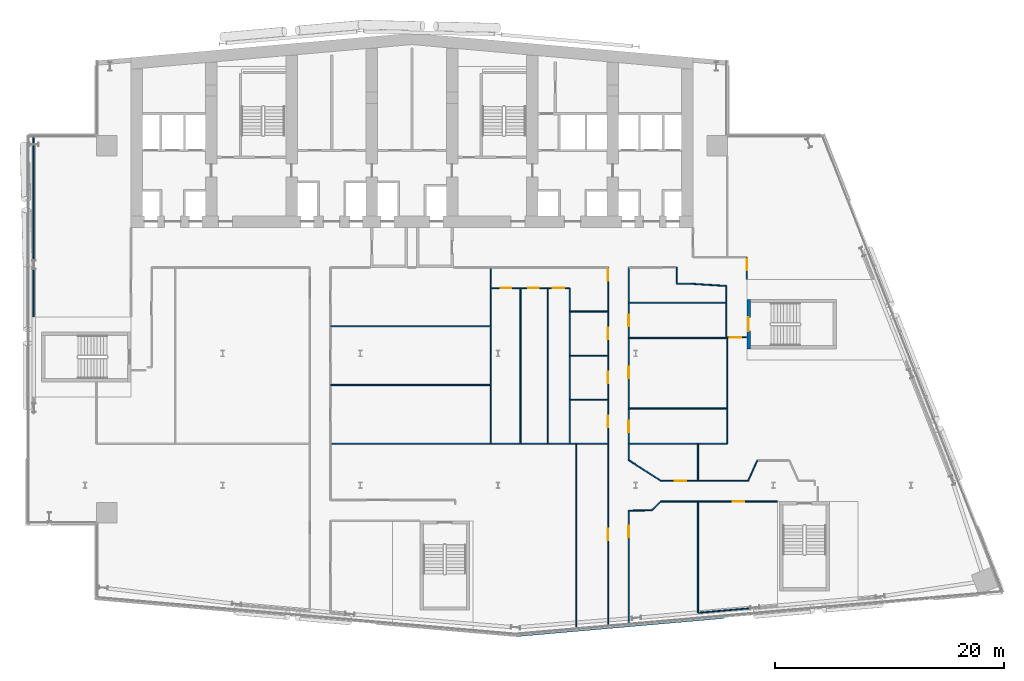
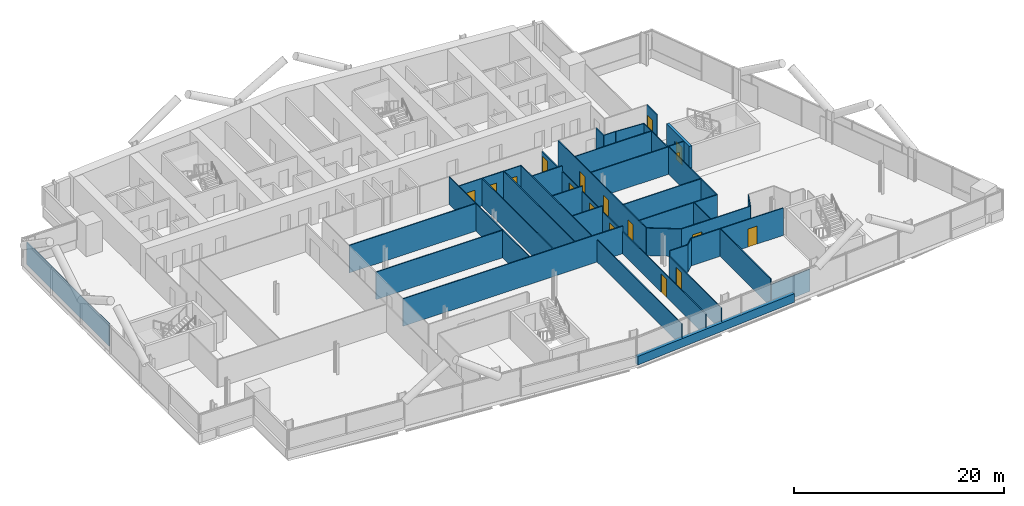
# One storey, part 15 of 26: 38 walls, 17 doors, 17 openings.
"""IFC4 building model written with IfcOpenShell, lengths in metres."""

from ifc_helpers import new_model, si_unit, direction, frame, frame_2d, origin, place, context, subcontext, project, spatial, rectangle, extrude, material, layer, layer_set, type_object, element, fill, save


model = new_model("IFC4")

# Units and contexts
model_context = context("Model", 3, precision=1e-05, world=origin(), true_north=direction((0.0, 1.0)))
body_context = subcontext(model_context, "Body", "Model", "MODEL_VIEW")
ifc_project = project(units=[si_unit("LENGTHUNIT", "METRE"), si_unit("AREAUNIT", "SQUARE_METRE"), si_unit("VOLUMEUNIT", "CUBIC_METRE"), si_unit("PLANEANGLEUNIT", "RADIAN"), si_unit("MASSUNIT", "GRAM", prefix="KILO")], contexts=[model_context])

# Site, building, storey
site_placement = place(None, origin())
site = spatial("IfcSite", under=ifc_project, at=site_placement, CompositionType="ELEMENT")
building_placement = place(site_placement, origin())
building = spatial("IfcBuilding", under=site, at=building_placement, Name="Wharfspan Tower", CompositionType="ELEMENT")
storey_placement = place(building_placement, frame((0.0, 0.0, 114.699951)))
storey = spatial("IfcBuildingStorey", under=building, at=storey_placement, Name="L26", CompositionType="ELEMENT", Elevation=114.699951)

# Walls
ifc_material_1 = material(Name="Gypsum board on steel studs", Category="steel")
ifc_layer_1 = layer(ifc_material_1, 0.100098)
ifc_layer_set_1 = layer_set([ifc_layer_1], Name="Gypsum board on steel studs")
wall_type_1 = type_object("IfcWallType", Name="Compartment wall 100 EI 60", PredefinedType="PARTITIONING", material=ifc_layer_set_1)
wall_1_placement = place(storey_placement, frame((33.399902, 15.129883, 0.0), z_axis=(0.0, 0.0, 1.0), x_axis=(1.0, 0.0, 0.0)))
element("IfcWall", 1, at=wall_1_placement, inside=storey, type_object=wall_type_1, Name="Partition L26.w017", PredefinedType="PARTITIONING", context=body_context, shape_type="SweptSolid", body=[
    extrude(rectangle(XDim=24.200195, YDim=0.100098, at=frame_2d((12.100098, 0.0))), origin(), (0.0, 0.0, 1.0), 3.199951),
])
for number, where, z_axis, x_axis, name in (
    (2, (33.399902, 20.254883, 0.0), (0.0, 0.0, 1.0), (1.0, 0.0, 0.0), "Partition L26.w018"),
    (3, (33.399902, 25.375, 0.0), (0.0, 0.0, 1.0), (1.0, 0.0, 0.0), "Partition L26.w019"),
):
    element("IfcWall", number, at=place(storey_placement, frame(where, z_axis=z_axis, x_axis=x_axis)), inside=storey, type_object=wall_type_1, Name=name, PredefinedType="PARTITIONING", context=body_context, shape_type="SweptSolid", body=[
        extrude(rectangle(XDim=13.975098, YDim=0.100098, at=frame_2d((6.987549, 0.0))), origin(), (0.0, 0.0, 1.0), 3.199951),
    ])
wall_2_placement = place(storey_placement, frame((47.375, 15.129883, 0.0), z_axis=(0.0, 0.0, 1.0), x_axis=(0.0, 1.0, 0.0)))
element("IfcWall", 4, at=wall_2_placement, inside=storey, type_object=wall_type_1, Name="Partition L26.w024", PredefinedType="PARTITIONING", context=body_context, shape_type="SweptSolid", body=[
    extrude(rectangle(XDim=15.360107, YDim=0.100098, at=frame_2d((7.680176, 0.0))), origin(), (0.0, 0.0, 1.0), 3.199951),
])
for number, where, z_axis, x_axis, name in (
    (5, (54.25, 18.975098, 0.0), (0.0, 0.0, 1.0), (1.0, 0.0, 0.0), "Partition L26.w029"),
    (6, (54.25, 22.814941, 0.0), (0.0, 0.0, 1.0), (1.0, 0.0, 0.0), "Partition L26.w030"),
    (7, (54.25, 26.659912, 0.0), (0.0, 0.0, 1.0), (1.0, 0.0, 0.0), "Partition L26.w031"),
):
    element("IfcWall", number, at=place(storey_placement, frame(where, z_axis=z_axis, x_axis=x_axis)), inside=storey, type_object=wall_type_1, Name=name, PredefinedType="PARTITIONING", context=body_context, shape_type="SweptSolid", body=[
        extrude(rectangle(XDim=3.350098, YDim=0.100098, at=frame_2d((1.675049, 0.0))), origin(), (0.0, 0.0, 1.0), 3.199951),
    ])

# Wall, openings, doors
wall_3_placement = place(storey_placement, frame((57.600098, -0.789551, 0.0), z_axis=(0.0, 0.0, 1.0), x_axis=(0.0, 1.0, 0.0)))
wall_3 = element("IfcWall", 8, at=wall_3_placement, inside=storey, type_object=wall_type_1, Name="Partition L26.w033", PredefinedType="PARTITIONING", context=body_context, shape_type="SweptSolid", body=[
    extrude(rectangle(XDim=31.289551, YDim=0.100098, at=frame_2d((15.644775, 0.0))), origin(), (0.0, 0.0, 1.0), 2.580078),
])
opening_1_placement = place(wall_3_placement, frame((7.499512, 0.0, 0.0)))
opening_1 = element("IfcOpeningElement", 9, at=opening_1_placement, cuts=wall_3, Name="Opening B3-02", PredefinedType="OPENING", context=body_context, shape_type="SweptSolid", body=[
    extrude(rectangle(XDim=1.0, YDim=2.100098, at=frame_2d((0.5, 1.050049))), frame((0.0, 0.060059, 0.0), z_axis=(0.0, -1.0, 0.0), x_axis=(1.0, 0.0, 0.0)), (0.0, 0.0, 1.0), 0.120117),
])
opening_2_placement = place(wall_3_placement, frame((17.344482, 0.0, 0.0)))
opening_2 = element("IfcOpeningElement", 10, at=opening_2_placement, cuts=wall_3, Name="Opening B3-09", PredefinedType="OPENING", context=body_context, shape_type="SweptSolid", body=[
    extrude(rectangle(XDim=1.0, YDim=2.100098, at=frame_2d((0.5, 1.050049))), frame((0.0, 0.060059, 0.0), z_axis=(0.0, -1.0, 0.0), x_axis=(1.0, 0.0, 0.0)), (0.0, 0.0, 1.0), 0.120117),
])
opening_3_placement = place(wall_3_placement, frame((21.18457, 0.0, 0.0)))
opening_3 = element("IfcOpeningElement", 11, at=opening_3_placement, cuts=wall_3, Name="Opening B3-11", PredefinedType="OPENING", context=body_context, shape_type="SweptSolid", body=[
    extrude(rectangle(XDim=1.0, YDim=2.100098, at=frame_2d((0.5, 1.050049))), frame((0.0, 0.060059, 0.0), z_axis=(0.0, -1.0, 0.0), x_axis=(1.0, 0.0, 0.0)), (0.0, 0.0, 1.0), 0.120117),
])
opening_4_placement = place(wall_3_placement, frame((25.029541, 0.0, 0.0)))
opening_4 = element("IfcOpeningElement", 12, at=opening_4_placement, cuts=wall_3, Name="Opening B3-15", PredefinedType="OPENING", context=body_context, shape_type="SweptSolid", body=[
    extrude(rectangle(XDim=1.0, YDim=2.100098, at=frame_2d((0.5, 1.050049))), frame((0.0, 0.060059, 0.0), z_axis=(0.0, -1.0, 0.0), x_axis=(1.0, 0.0, 0.0)), (0.0, 0.0, 1.0), 0.120117),
])
opening_5_placement = place(wall_3_placement, frame((30.139404, 0.0, 0.0)))
opening_5 = element("IfcOpeningElement", 13, at=opening_5_placement, cuts=wall_3, Name="Opening B3-24", PredefinedType="OPENING", context=body_context, shape_type="SweptSolid", body=[
    extrude(rectangle(XDim=1.0, YDim=2.100098, at=frame_2d((0.5, 1.050049))), frame((0.0, 0.060059, 0.0), z_axis=(0.0, -1.0, 0.0), x_axis=(1.0, 0.0, 0.0)), (0.0, 0.0, 1.0), 0.120117),
])
ifc_material_2 = material(Name="Fire-rated timber door leaf in steel frame", Category="steel")
door_type_1 = type_object("IfcDoorType", Name="Door 1000 FD30S Left", OperationType="SINGLE_SWING_LEFT", PredefinedType="DOOR", material=ifc_material_2)
door_1_placement = place(opening_1_placement, origin())
door_1 = element("IfcDoor", 14, at=door_1_placement, inside=storey, type_object=door_type_1, Name="Door B3-02", OperationType="SINGLE_SWING_LEFT", OverallHeight=2.100098, OverallWidth=1.0, PredefinedType="DOOR", context=body_context, shape_type="SweptSolid", body=[
    extrude(rectangle(XDim=1.0, YDim=2.100098, at=frame_2d((0.5, 1.050049))), frame((0.0, 0.024902, 0.0), z_axis=(0.0, -1.0, 0.0), x_axis=(1.0, 0.0, 0.0)), (0.0, 0.0, 1.0), 0.050049),
])
fill(opening_1, door_1)
door_type_2 = type_object("IfcDoorType", Name="Door 1000 FD30S Right", OperationType="SINGLE_SWING_RIGHT", PredefinedType="DOOR", material=ifc_material_2)
door_2_placement = place(opening_2_placement, origin())
door_2 = element("IfcDoor", 15, at=door_2_placement, inside=storey, type_object=door_type_2, Name="Door B3-09", OperationType="SINGLE_SWING_RIGHT", OverallHeight=2.100098, OverallWidth=1.0, PredefinedType="DOOR", context=body_context, shape_type="SweptSolid", body=[
    extrude(rectangle(XDim=1.0, YDim=2.100098, at=frame_2d((0.5, 1.050049))), frame((0.0, 0.024902, 0.0), z_axis=(0.0, -1.0, 0.0), x_axis=(1.0, 0.0, 0.0)), (0.0, 0.0, 1.0), 0.050049),
])
fill(opening_2, door_2)
door_3_placement = place(opening_3_placement, origin())
door_3 = element("IfcDoor", 16, at=door_3_placement, inside=storey, type_object=door_type_2, Name="Door B3-11", OperationType="SINGLE_SWING_RIGHT", OverallHeight=2.100098, OverallWidth=1.0, PredefinedType="DOOR", context=body_context, shape_type="SweptSolid", body=[
    extrude(rectangle(XDim=1.0, YDim=2.100098, at=frame_2d((0.5, 1.050049))), frame((0.0, 0.024902, 0.0), z_axis=(0.0, -1.0, 0.0), x_axis=(1.0, 0.0, 0.0)), (0.0, 0.0, 1.0), 0.050049),
])
fill(opening_3, door_3)
door_4_placement = place(opening_4_placement, origin())
door_4 = element("IfcDoor", 17, at=door_4_placement, inside=storey, type_object=door_type_2, Name="Door B3-15", OperationType="SINGLE_SWING_RIGHT", OverallHeight=2.100098, OverallWidth=1.0, PredefinedType="DOOR", context=body_context, shape_type="SweptSolid", body=[
    extrude(rectangle(XDim=1.0, YDim=2.100098, at=frame_2d((0.5, 1.050049))), frame((0.0, 0.024902, 0.0), z_axis=(0.0, -1.0, 0.0), x_axis=(1.0, 0.0, 0.0)), (0.0, 0.0, 1.0), 0.050049),
])
fill(opening_4, door_4)
door_5_placement = place(opening_5_placement, origin())
door_5 = element("IfcDoor", 18, at=door_5_placement, inside=storey, type_object=door_type_2, Name="Door B3-24", OperationType="SINGLE_SWING_RIGHT", OverallHeight=2.100098, OverallWidth=1.0, PredefinedType="DOOR", context=body_context, shape_type="SweptSolid", body=[
    extrude(rectangle(XDim=1.0, YDim=2.100098, at=frame_2d((0.5, 1.050049))), frame((0.0, 0.024902, 0.0), z_axis=(0.0, -1.0, 0.0), x_axis=(1.0, 0.0, 0.0)), (0.0, 0.0, 1.0), 0.050049),
])
fill(opening_5, door_5)

# Wall, opening, door
wall_4_placement = place(storey_placement, frame((59.399902, -0.63208, 0.0), z_axis=(0.0, 0.0, 1.0), x_axis=(0.0, 1.0, 0.0)))
wall_4 = element("IfcWall", 19, at=wall_4_placement, inside=storey, type_object=wall_type_1, Name="Partition L26.w034", PredefinedType="PARTITIONING", context=body_context, shape_type="SweptSolid", body=[
    extrude(rectangle(XDim=9.932129, YDim=0.100098, at=frame_2d((4.966064, 0.0))), origin(), (0.0, 0.0, 1.0), 2.580078),
])
opening_6_placement = place(wall_4_placement, frame((7.601807, 0.0, 0.0)))
opening_6 = element("IfcOpeningElement", 20, at=opening_6_placement, cuts=wall_4, Name="Opening B3-03", PredefinedType="OPENING", context=body_context, shape_type="SweptSolid", body=[
    extrude(rectangle(XDim=1.0, YDim=2.100098, at=frame_2d((0.5, 1.050049))), frame((0.0, 0.060059, 0.0), z_axis=(0.0, -1.0, 0.0), x_axis=(1.0, 0.0, 0.0)), (0.0, 0.0, 1.0), 0.120117),
])
door_6_placement = place(opening_6_placement, origin())
door_6 = element("IfcDoor", 21, at=door_6_placement, inside=storey, type_object=door_type_2, Name="Door B3-03", OperationType="SINGLE_SWING_RIGHT", OverallHeight=2.100098, OverallWidth=1.0, PredefinedType="DOOR", context=body_context, shape_type="SweptSolid", body=[
    extrude(rectangle(XDim=1.0, YDim=2.100098, at=frame_2d((0.5, 1.050049))), frame((0.0, 0.024902, 0.0), z_axis=(0.0, -1.0, 0.0), x_axis=(1.0, 0.0, 0.0)), (0.0, 0.0, 1.0), 0.050049),
])
fill(opening_6, door_6)

# Wall
wall_5_placement = place(storey_placement, frame((59.399902, 9.300049, 0.0), z_axis=(0.0, 0.0, 1.0), x_axis=(0.999918, 0.01245, 0.0)))
element("IfcWall", 22, at=wall_5_placement, inside=storey, type_object=wall_type_1, Name="Partition L26.w035", PredefinedType="PARTITIONING", context=body_context, shape_type="SweptSolid", body=[
    extrude(rectangle(XDim=2.000244, YDim=0.100098, at=frame_2d((1.0, 0.0))), origin(), (0.0, 0.0, 1.0), 3.199951),
])

# Wall, openings, doors
wall_6_placement = place(storey_placement, frame((59.399902, 13.699951, 0.0), z_axis=(0.0, 0.0, 1.0), x_axis=(0.0, 1.0, 0.0)))
wall_6 = element("IfcWall", 23, at=wall_6_placement, inside=storey, type_object=wall_type_1, Name="Partition L26.w036", PredefinedType="PARTITIONING", context=body_context, shape_type="SweptSolid", body=[
    extrude(rectangle(XDim=16.800049, YDim=0.100098, at=frame_2d((8.399902, 0.0))), origin(), (0.0, 0.0, 1.0), 3.199951),
])
opening_7_placement = place(wall_6_placement, frame((2.449951, 0.0, 0.0)))
opening_7 = element("IfcOpeningElement", 24, at=opening_7_placement, cuts=wall_6, Name="Opening B3-08", PredefinedType="OPENING", context=body_context, shape_type="SweptSolid", body=[
    extrude(rectangle(XDim=1.0, YDim=2.100098, at=frame_2d((0.5, 1.050049))), frame((0.0, 0.060059, 0.0), z_axis=(0.0, -1.0, 0.0), x_axis=(1.0, 0.0, 0.0)), (0.0, 0.0, 1.0), 0.120117),
])
opening_8_placement = place(wall_6_placement, frame((7.125, 0.0, 0.0)))
opening_8 = element("IfcOpeningElement", 25, at=opening_8_placement, cuts=wall_6, Name="Opening B3-12", PredefinedType="OPENING", context=body_context, shape_type="SweptSolid", body=[
    extrude(rectangle(XDim=1.0, YDim=2.100098, at=frame_2d((0.5, 1.050049))), frame((0.0, 0.060059, 0.0), z_axis=(0.0, -1.0, 0.0), x_axis=(1.0, 0.0, 0.0)), (0.0, 0.0, 1.0), 0.120117),
])
opening_9_placement = place(wall_6_placement, frame((11.675049, 0.0, 0.0)))
opening_9 = element("IfcOpeningElement", 26, at=opening_9_placement, cuts=wall_6, Name="Opening B3-16", PredefinedType="OPENING", context=body_context, shape_type="SweptSolid", body=[
    extrude(rectangle(XDim=1.0, YDim=2.100098, at=frame_2d((0.5, 1.050049))), frame((0.0, 0.060059, 0.0), z_axis=(0.0, -1.0, 0.0), x_axis=(1.0, 0.0, 0.0)), (0.0, 0.0, 1.0), 0.120117),
])
door_7_placement = place(opening_7_placement, origin())
door_7 = element("IfcDoor", 27, at=door_7_placement, inside=storey, type_object=door_type_1, Name="Door B3-08", OperationType="SINGLE_SWING_LEFT", OverallHeight=2.100098, OverallWidth=1.0, PredefinedType="DOOR", context=body_context, shape_type="SweptSolid", body=[
    extrude(rectangle(XDim=1.0, YDim=2.100098, at=frame_2d((0.5, 1.050049))), frame((0.0, 0.024902, 0.0), z_axis=(0.0, -1.0, 0.0), x_axis=(1.0, 0.0, 0.0)), (0.0, 0.0, 1.0), 0.050049),
])
fill(opening_7, door_7)
door_8_placement = place(opening_8_placement, origin())
door_8 = element("IfcDoor", 28, at=door_8_placement, inside=storey, type_object=door_type_1, Name="Door B3-12", OperationType="SINGLE_SWING_LEFT", OverallHeight=2.100098, OverallWidth=1.0, PredefinedType="DOOR", context=body_context, shape_type="SweptSolid", body=[
    extrude(rectangle(XDim=1.0, YDim=2.100098, at=frame_2d((0.5, 1.050049))), frame((0.0, 0.024902, 0.0), z_axis=(0.0, -1.0, 0.0), x_axis=(1.0, 0.0, 0.0)), (0.0, 0.0, 1.0), 0.050049),
])
fill(opening_8, door_8)
door_9_placement = place(opening_9_placement, origin())
door_9 = element("IfcDoor", 29, at=door_9_placement, inside=storey, type_object=door_type_2, Name="Door B3-16", OperationType="SINGLE_SWING_RIGHT", OverallHeight=2.100098, OverallWidth=1.0, PredefinedType="DOOR", context=body_context, shape_type="SweptSolid", body=[
    extrude(rectangle(XDim=1.0, YDim=2.100098, at=frame_2d((0.5, 1.050049))), frame((0.0, 0.024902, 0.0), z_axis=(0.0, -1.0, 0.0), x_axis=(1.0, 0.0, 0.0)), (0.0, 0.0, 1.0), 0.050049),
])
fill(opening_9, door_9)

# Walls
for number, where, z_axis, x_axis, name in (
    (30, (59.399902, 15.129883, 0.0), (0.0, 0.0, 1.0), (1.0, 0.0, 0.0), "Partition L26.w037"),
    (31, (59.399902, 18.205078, 0.0), (0.0, 0.0, 1.0), (1.0, 0.0, 0.0), "Partition L26.w038"),
    (32, (59.399902, 24.35498, 0.0), (0.0, 0.0, 1.0), (1.0, 0.0, 0.0), "Partition L26.w039"),
):
    element("IfcWall", number, at=place(storey_placement, frame(where, z_axis=z_axis, x_axis=x_axis)), inside=storey, type_object=wall_type_1, Name=name, PredefinedType="PARTITIONING", context=body_context, shape_type="SweptSolid", body=[
        extrude(rectangle(XDim=8.600098, YDim=0.100098, at=frame_2d((4.300049, 0.0))), origin(), (0.0, 0.0, 1.0), 3.199951),
    ])
wall_7_placement = place(storey_placement, frame((59.399902, 27.425049, 0.0), z_axis=(0.0, 0.0, 1.0), x_axis=(1.0, 0.0, 0.0)))
element("IfcWall", 33, at=wall_7_placement, inside=storey, type_object=wall_type_1, Name="Partition L26.w040", PredefinedType="PARTITIONING", context=body_context, shape_type="SweptSolid", body=[
    extrude(rectangle(XDim=8.48999, YDim=0.100098, at=frame_2d((4.245117, 0.0))), origin(), (0.0, 0.0, 1.0), 3.199951),
])
wall_8_placement = place(storey_placement, frame((61.399902, 9.324951, 0.0), z_axis=(0.0, 0.0, 1.0), x_axis=(0.720495, 0.693452, 0.0)))
element("IfcWall", 34, at=wall_8_placement, inside=storey, type_object=wall_type_1, Name="Partition L26.w042", PredefinedType="PARTITIONING", context=body_context, shape_type="SweptSolid", body=[
    extrude(rectangle(XDim=1.110352, YDim=0.100098, at=frame_2d((0.555176, 0.0))), origin(), (0.0, 0.0, 1.0), 3.199951),
])

# Wall, opening, door
wall_9_placement = place(storey_placement, frame((62.199951, 10.094971, 0.0), z_axis=(0.0, 0.0, 1.0), x_axis=(1.0, 0.0, 0.0)))
wall_9 = element("IfcWall", 35, at=wall_9_placement, inside=storey, type_object=wall_type_1, Name="Partition L26.w043", PredefinedType="PARTITIONING", context=body_context, shape_type="SweptSolid", body=[
    extrude(rectangle(XDim=10.145996, YDim=0.100098, at=frame_2d((5.072998, 0.0))), origin(), (0.0, 0.0, 1.0), 3.199951),
])
opening_10_placement = place(wall_9_placement, frame((6.26001, 0.0, 0.0)))
opening_10 = element("IfcOpeningElement", 36, at=opening_10_placement, cuts=wall_9, Name="Opening B3-05", PredefinedType="OPENING", context=body_context, shape_type="SweptSolid", body=[
    extrude(rectangle(XDim=1.0, YDim=2.100098, at=frame_2d((0.5, 1.050049))), frame((0.0, 0.060059, 0.0), z_axis=(0.0, -1.0, 0.0), x_axis=(1.0, 0.0, 0.0)), (0.0, 0.0, 1.0), 0.120117),
])
door_10_placement = place(opening_10_placement, origin())
door_10 = element("IfcDoor", 37, at=door_10_placement, inside=storey, type_object=door_type_2, Name="Door B3-05", OperationType="SINGLE_SWING_RIGHT", OverallHeight=2.100098, OverallWidth=1.0, PredefinedType="DOOR", context=body_context, shape_type="SweptSolid", body=[
    extrude(rectangle(XDim=1.0, YDim=2.100098, at=frame_2d((0.5, 1.050049))), frame((0.0, 0.024902, 0.0), z_axis=(0.0, -1.0, 0.0), x_axis=(1.0, 0.0, 0.0)), (0.0, 0.0, 1.0), 0.050049),
])
fill(opening_10, door_10)

wall_10_placement = place(storey_placement, frame((62.199951, 11.89502, 0.0), z_axis=(0.0, 0.0, 1.0), x_axis=(1.0, 0.0, 0.0)))
wall_10 = element("IfcWall", 38, at=wall_10_placement, inside=storey, type_object=wall_type_1, Name="Partition L26.w044", PredefinedType="PARTITIONING", context=body_context, shape_type="SweptSolid", body=[
    extrude(rectangle(XDim=7.600098, YDim=0.100098, at=frame_2d((3.800049, 0.0))), origin(), (0.0, 0.0, 1.0), 3.199951),
])
opening_11_placement = place(wall_10_placement, frame((1.219971, 0.0, 0.0)))
opening_11 = element("IfcOpeningElement", 39, at=opening_11_placement, cuts=wall_10, Name="Opening B3-07", PredefinedType="OPENING", context=body_context, shape_type="SweptSolid", body=[
    extrude(rectangle(XDim=1.0, YDim=2.100098, at=frame_2d((0.5, 1.050049))), frame((0.0, 0.060059, 0.0), z_axis=(0.0, -1.0, 0.0), x_axis=(1.0, 0.0, 0.0)), (0.0, 0.0, 1.0), 0.120117),
])
door_11_placement = place(opening_11_placement, origin())
door_11 = element("IfcDoor", 40, at=door_11_placement, inside=storey, type_object=door_type_1, Name="Door B3-07", OperationType="SINGLE_SWING_LEFT", OverallHeight=2.100098, OverallWidth=1.0, PredefinedType="DOOR", context=body_context, shape_type="SweptSolid", body=[
    extrude(rectangle(XDim=1.0, YDim=2.100098, at=frame_2d((0.5, 1.050049))), frame((0.0, 0.024902, 0.0), z_axis=(0.0, -1.0, 0.0), x_axis=(1.0, 0.0, 0.0)), (0.0, 0.0, 1.0), 0.050049),
])
fill(opening_11, door_11)

# Walls
wall_11_placement = place(storey_placement, frame((62.199951, 11.89502, 0.0), z_axis=(0.0, 0.0, 1.0), x_axis=(-0.840512, 0.5418, 0.0)))
element("IfcWall", 41, at=wall_11_placement, inside=storey, type_object=wall_type_1, Name="Partition L26.w045", PredefinedType="PARTITIONING", context=body_context, shape_type="SweptSolid", body=[
    extrude(rectangle(XDim=3.331299, YDim=0.100098, at=frame_2d((1.665527, 0.0))), origin(), (0.0, 0.0, 1.0), 3.199951),
])
wall_12_placement = place(storey_placement, frame((63.574951, 29.074951, 0.0), z_axis=(0.0, 0.0, 1.0), x_axis=(0.0, 1.0, 0.0)))
element("IfcWall", 42, at=wall_12_placement, inside=storey, type_object=wall_type_1, Name="Partition L26.w046", PredefinedType="PARTITIONING", context=body_context, shape_type="SweptSolid", body=[
    extrude(rectangle(XDim=1.425049, YDim=0.100098, at=frame_2d((0.712402, 0.0))), origin(), (0.0, 0.0, 1.0), 3.199951),
])
wall_13_placement = place(storey_placement, frame((63.574951, 29.074951, 0.0), z_axis=(0.0, 0.0, 1.0), x_axis=(1.0, 0.0, 0.0)))
element("IfcWall", 43, at=wall_13_placement, inside=storey, type_object=wall_type_1, Name="Partition L26.w047", PredefinedType="PARTITIONING", context=body_context, shape_type="SweptSolid", body=[
    extrude(rectangle(XDim=1.285156, YDim=0.100098, at=frame_2d((0.642578, 0.0))), origin(), (0.0, 0.0, 1.0), 3.199951),
])
wall_14_placement = place(storey_placement, frame((65.439941, 0.389893, 0.0), z_axis=(0.0, 0.0, 1.0), x_axis=(0.0, 1.0, 0.0)))
element("IfcWall", 44, at=wall_14_placement, inside=storey, type_object=wall_type_1, Name="Partition L26.w051", PredefinedType="PARTITIONING", context=body_context, shape_type="SweptSolid", body=[
    extrude(rectangle(XDim=9.705078, YDim=0.100098, at=frame_2d((4.852539, 0.0))), origin(), (0.0, 0.0, 1.0), 3.199951),
])
wall_15_placement = place(storey_placement, frame((65.439941, 11.89502, 0.0), z_axis=(0.0, 0.0, 1.0), x_axis=(0.0, 1.0, 0.0)))
element("IfcWall", 45, at=wall_15_placement, inside=storey, type_object=wall_type_1, Name="Partition L26.w052", PredefinedType="PARTITIONING", context=body_context, shape_type="SweptSolid", body=[
    extrude(rectangle(XDim=3.234863, YDim=0.100098, at=frame_2d((1.617432, 0.0))), origin(), (0.0, 0.0, 1.0), 3.199951),
])
wall_16_placement = place(storey_placement, frame((67.889893, 24.399902, 0.0), z_axis=(0.0, 0.0, 1.0), x_axis=(0.0, 1.0, 0.0)))
element("IfcWall", 46, at=wall_16_placement, inside=storey, type_object=wall_type_1, Name="Partition L26.w053", PredefinedType="PARTITIONING", context=body_context, shape_type="SweptSolid", body=[
    extrude(rectangle(XDim=4.485107, YDim=0.100098, at=frame_2d((2.242676, 0.0))), origin(), (0.0, 0.0, 1.0), 3.199951),
])

# Wall, opening, door
wall_17_placement = place(storey_placement, frame((68.0, 24.399902, 0.0), z_axis=(0.0, 0.0, 1.0), x_axis=(1.0, 0.0, 0.0)))
wall_17 = element("IfcWall", 47, at=wall_17_placement, inside=storey, type_object=wall_type_1, Name="Partition L26.w054", PredefinedType="PARTITIONING", context=body_context, shape_type="SweptSolid", body=[
    extrude(rectangle(XDim=1.67041, YDim=0.100098, at=frame_2d((0.835205, 0.0))), origin(), (0.0, 0.0, 1.0), 3.199951),
])
opening_12_placement = place(wall_17_placement, frame((0.199951, 0.0, 0.0)))
opening_12 = element("IfcOpeningElement", 48, at=opening_12_placement, cuts=wall_17, Name="Opening B3-14", PredefinedType="OPENING", context=body_context, shape_type="SweptSolid", body=[
    extrude(rectangle(XDim=1.0, YDim=2.100098, at=frame_2d((0.5, 1.050049))), frame((0.0, 0.060059, 0.0), z_axis=(0.0, -1.0, 0.0), x_axis=(1.0, 0.0, 0.0)), (0.0, 0.0, 1.0), 0.120117),
])
door_12_placement = place(opening_12_placement, origin())
door_12 = element("IfcDoor", 49, at=door_12_placement, inside=storey, type_object=door_type_1, Name="Door B3-14", OperationType="SINGLE_SWING_LEFT", OverallHeight=2.100098, OverallWidth=1.0, PredefinedType="DOOR", context=body_context, shape_type="SweptSolid", body=[
    extrude(rectangle(XDim=1.0, YDim=2.100098, at=frame_2d((0.5, 1.050049))), frame((0.0, 0.024902, 0.0), z_axis=(0.0, -1.0, 0.0), x_axis=(1.0, 0.0, 0.0)), (0.0, 0.0, 1.0), 0.050049),
])
fill(opening_12, door_12)

# Walls
wall_18_placement = place(storey_placement, frame((67.889893, 28.88501, 0.0), z_axis=(0.0, 0.0, 1.0), x_axis=(-0.998031, 0.062786, 0.0)))
element("IfcWall", 50, at=wall_18_placement, inside=storey, type_object=wall_type_1, Name="Partition L26.w055", PredefinedType="PARTITIONING", context=body_context, shape_type="SweptSolid", body=[
    extrude(rectangle(XDim=3.02124, YDim=0.100098, at=frame_2d((1.510742, 0.0))), origin(), (0.0, 0.0, 1.0), 3.199951),
])
wall_19_placement = place(storey_placement, frame((68.0, 15.129883, 0.0), z_axis=(0.0, 0.0, 1.0), x_axis=(0.0, 1.0, 0.0)))
element("IfcWall", 51, at=wall_19_placement, inside=storey, type_object=wall_type_1, Name="Partition L26.w056", PredefinedType="PARTITIONING", context=body_context, shape_type="SweptSolid", body=[
    extrude(rectangle(XDim=9.220215, YDim=0.100098, at=frame_2d((4.610107, 0.0))), origin(), (0.0, 0.0, 1.0), 3.199951),
])

# Wall, opening, door
wall_20_placement = place(storey_placement, frame((69.689941, 29.469971, 0.0), z_axis=(0.0, 0.0, 1.0), x_axis=(0.0, 1.0, 0.0)))
wall_20 = element("IfcWall", 52, at=wall_20_placement, inside=storey, type_object=wall_type_1, Name="Partition L26.w058", PredefinedType="PARTITIONING", context=body_context, shape_type="SweptSolid", body=[
    extrude(rectangle(XDim=1.929932, YDim=0.100098, at=frame_2d((0.964844, 0.0))), origin(), (0.0, 0.0, 1.0), 3.199951),
])
opening_13_placement = place(wall_20_placement, frame((0.800049, 0.0, 0.0)))
opening_13 = element("IfcOpeningElement", 53, at=opening_13_placement, cuts=wall_20, Name="Opening B3-26", PredefinedType="OPENING", context=body_context, shape_type="SweptSolid", body=[
    extrude(rectangle(XDim=1.0, YDim=2.100098, at=frame_2d((0.5, 1.050049))), frame((0.0, 0.060059, 0.0), z_axis=(0.0, -1.0, 0.0), x_axis=(1.0, 0.0, 0.0)), (0.0, 0.0, 1.0), 0.120117),
])
door_13_placement = place(opening_13_placement, origin())
door_13 = element("IfcDoor", 54, at=door_13_placement, inside=storey, type_object=door_type_2, Name="Door B3-26", OperationType="SINGLE_SWING_RIGHT", OverallHeight=2.100098, OverallWidth=1.0, PredefinedType="DOOR", context=body_context, shape_type="SweptSolid", body=[
    extrude(rectangle(XDim=1.0, YDim=2.100098, at=frame_2d((0.5, 1.050049))), frame((0.0, 0.024902, 0.0), z_axis=(0.0, -1.0, 0.0), x_axis=(1.0, 0.0, 0.0)), (0.0, 0.0, 1.0), 0.050049),
])
fill(opening_13, door_13)

# Walls
wall_21_placement = place(storey_placement, frame((69.800049, 11.89502, 0.0), z_axis=(0.0, 0.0, 1.0), x_axis=(0.409954, 0.912107, 0.0)))
element("IfcWall", 55, at=wall_21_placement, inside=storey, type_object=wall_type_1, Name="Partition L26.w059", PredefinedType="PARTITIONING", context=body_context, shape_type="SweptSolid", body=[
    extrude(rectangle(XDim=1.95166, YDim=0.100098, at=frame_2d((0.97583, 0.0))), origin(), (0.0, 0.0, 1.0), 3.199951),
])
ifc_layer_2 = layer(ifc_material_1, 0.100098)
ifc_layer_set_2 = layer_set([ifc_layer_2], Name="Gypsum board on steel studs")
wall_type_2 = type_object("IfcWallType", Name="Partition 100", PredefinedType="PARTITIONING", material=ifc_layer_set_2)
wall_22_placement = place(storey_placement, frame((7.51001, 26.219971, 0.0), z_axis=(0.0, 0.0, 1.0), x_axis=(0.0, 1.0, 0.0)))
element("IfcWall", 56, at=wall_22_placement, inside=storey, type_object=wall_type_2, Name="Partition L26.w002", PredefinedType="PARTITIONING", context=body_context, shape_type="SweptSolid", body=[
    extrude(rectangle(XDim=15.76001, YDim=0.100098, at=frame_2d((7.879883, 0.0))), origin(), (0.0, 0.0, 1.0), 2.580078),
])

# Wall, openings, doors
wall_23_placement = place(storey_placement, frame((47.375, 28.699951, 0.0), z_axis=(0.0, 0.0, 1.0), x_axis=(1.0, 0.0, 0.0)))
wall_23 = element("IfcWall", 57, at=wall_23_placement, inside=storey, type_object=wall_type_2, Name="Partition L26.w025", PredefinedType="PARTITIONING", context=body_context, shape_type="SweptSolid", body=[
    extrude(rectangle(XDim=6.875, YDim=0.100098, at=frame_2d((3.4375, 0.0))), origin(), (0.0, 0.0, 1.0), 3.199951),
])
opening_14_placement = place(wall_23_placement, frame((0.870117, 0.0, 0.0)))
opening_14 = element("IfcOpeningElement", 58, at=opening_14_placement, cuts=wall_23, Name="Opening B3-19", PredefinedType="OPENING", context=body_context, shape_type="SweptSolid", body=[
    extrude(rectangle(XDim=0.899902, YDim=2.100098, at=frame_2d((0.449951, 1.050049))), frame((0.0, 0.060059, 0.0), z_axis=(0.0, -1.0, 0.0), x_axis=(1.0, 0.0, 0.0)), (0.0, 0.0, 1.0), 0.120117),
])
opening_15_placement = place(wall_23_placement, frame((3.26001, 0.0, 0.0)))
opening_15 = element("IfcOpeningElement", 59, at=opening_15_placement, cuts=wall_23, Name="Opening B3-20", PredefinedType="OPENING", context=body_context, shape_type="SweptSolid", body=[
    extrude(rectangle(XDim=0.899902, YDim=2.100098, at=frame_2d((0.449951, 1.050049))), frame((0.0, 0.060059, 0.0), z_axis=(0.0, -1.0, 0.0), x_axis=(1.0, 0.0, 0.0)), (0.0, 0.0, 1.0), 0.120117),
])
opening_16_placement = place(wall_23_placement, frame((5.39502, 0.0, 0.0)))
opening_16 = element("IfcOpeningElement", 60, at=opening_16_placement, cuts=wall_23, Name="Opening B3-21", PredefinedType="OPENING", context=body_context, shape_type="SweptSolid", body=[
    extrude(rectangle(XDim=1.0, YDim=2.100098, at=frame_2d((0.5, 1.050049))), frame((0.0, 0.060059, 0.0), z_axis=(0.0, -1.0, 0.0), x_axis=(1.0, 0.0, 0.0)), (0.0, 0.0, 1.0), 0.120117),
])
ifc_material_3 = material(Name="Timber door leaf in steel frame", Category="steel")
door_type_3 = type_object("IfcDoorType", Name="Door 1000 NOT RATED Right", OperationType="SINGLE_SWING_RIGHT", PredefinedType="DOOR", material=ifc_material_3)
door_14_placement = place(opening_16_placement, origin())
door_14 = element("IfcDoor", 61, at=door_14_placement, inside=storey, type_object=door_type_3, Name="Door B3-21", OperationType="SINGLE_SWING_RIGHT", OverallHeight=2.100098, OverallWidth=1.0, PredefinedType="DOOR", context=body_context, shape_type="SweptSolid", body=[
    extrude(rectangle(XDim=1.0, YDim=2.100098, at=frame_2d((0.5, 1.050049))), frame((0.0, 0.024902, 0.0), z_axis=(0.0, -1.0, 0.0), x_axis=(1.0, 0.0, 0.0)), (0.0, 0.0, 1.0), 0.050049),
])
fill(opening_16, door_14)
door_type_4 = type_object("IfcDoorType", Name="Door 900 NOT RATED Left", OperationType="SINGLE_SWING_LEFT", PredefinedType="DOOR", material=ifc_material_3)
door_15_placement = place(opening_14_placement, origin())
door_15 = element("IfcDoor", 62, at=door_15_placement, inside=storey, type_object=door_type_4, Name="Door B3-19", OperationType="SINGLE_SWING_LEFT", OverallHeight=2.100098, OverallWidth=0.899902, PredefinedType="DOOR", context=body_context, shape_type="SweptSolid", body=[
    extrude(rectangle(XDim=0.899902, YDim=2.100098, at=frame_2d((0.449951, 1.050049))), frame((0.0, 0.024902, 0.0), z_axis=(0.0, -1.0, 0.0), x_axis=(1.0, 0.0, 0.0)), (0.0, 0.0, 1.0), 0.050049),
])
fill(opening_14, door_15)
door_type_5 = type_object("IfcDoorType", Name="Door 900 NOT RATED Right", OperationType="SINGLE_SWING_RIGHT", PredefinedType="DOOR", material=ifc_material_3)
door_16_placement = place(opening_15_placement, origin())
door_16 = element("IfcDoor", 63, at=door_16_placement, inside=storey, type_object=door_type_5, Name="Door B3-20", OperationType="SINGLE_SWING_RIGHT", OverallHeight=2.100098, OverallWidth=0.899902, PredefinedType="DOOR", context=body_context, shape_type="SweptSolid", body=[
    extrude(rectangle(XDim=0.899902, YDim=2.100098, at=frame_2d((0.449951, 1.050049))), frame((0.0, 0.024902, 0.0), z_axis=(0.0, -1.0, 0.0), x_axis=(1.0, 0.0, 0.0)), (0.0, 0.0, 1.0), 0.050049),
])
fill(opening_15, door_16)

# Walls
for number, where, z_axis, x_axis, name in (
    (64, (49.965088, 15.129883, 0.0), (0.0, 0.0, 1.0), (0.0, 1.0, 0.0), "Partition L26.w026"),
    (65, (52.350098, 15.129883, 0.0), (0.0, 0.0, 1.0), (0.0, 1.0, 0.0), "Partition L26.w027"),
    (66, (54.25, 15.129883, 0.0), (0.0, 0.0, 1.0), (0.0, 1.0, 0.0), "Partition L26.w028"),
):
    element("IfcWall", number, at=place(storey_placement, frame(where, z_axis=z_axis, x_axis=x_axis)), inside=storey, type_object=wall_type_2, Name=name, PredefinedType="PARTITIONING", context=body_context, shape_type="SweptSolid", body=[
        extrude(rectangle(XDim=13.570068, YDim=0.100098, at=frame_2d((6.785156, 0.0))), origin(), (0.0, 0.0, 1.0), 3.199951),
    ])
wall_24_placement = place(storey_placement, frame((54.810059, -1.033691, 0.0), z_axis=(0.0, 0.0, 1.0), x_axis=(0.0, 1.0, 0.0)))
element("IfcWall", 67, at=wall_24_placement, inside=storey, type_object=wall_type_2, Name="Partition L26.w032", PredefinedType="PARTITIONING", context=body_context, shape_type="SweptSolid", body=[
    extrude(rectangle(XDim=16.163574, YDim=0.100098, at=frame_2d((8.081787, 0.0))), origin(), (0.0, 0.0, 1.0), 2.580078),
])
wall_25_placement = place(storey_placement, frame((65.439941, 0.389893, 0.0), z_axis=(0.0, 0.0, 1.0), x_axis=(0.996214, 0.086949, 0.0)))
element("IfcWall", 68, at=wall_25_placement, inside=storey, type_object=wall_type_2, Name="Partition L26.w050", PredefinedType="PARTITIONING", context=body_context, shape_type="SweptSolid", body=[
    extrude(rectangle(XDim=4.487061, YDim=0.100098, at=frame_2d((2.243652, 0.0))), origin(), (0.0, 0.0, 1.0), 2.580078),
])
ifc_material_4 = material(Name="Concrete C40/50", Category="concrete")
ifc_layer_3 = layer(ifc_material_4, 0.350098)
ifc_layer_set_3 = layer_set([ifc_layer_3], Name="Concrete C40/50")
wall_type_3 = type_object("IfcWallType", Name="SPANDREL EXPOSED CONCRETE 350", PredefinedType="SOLIDWALL", material=ifc_layer_set_3)
wall_26_placement = place(storey_placement, frame((49.54541, -1.519287, 0.0), z_axis=(0.0, 0.0, 1.0), x_axis=(0.996191, 0.087151, 0.0)))
element("IfcWall", 69, at=wall_26_placement, inside=storey, type_object=wall_type_3, Name="Spandrel upstand L26 S2 1", PredefinedType="SOLIDWALL", context=body_context, shape_type="SweptSolid", body=[
    extrude(rectangle(XDim=18.20874, YDim=0.350098, at=frame_2d((9.104492, 0.0))), origin(), (0.0, 0.0, 1.0), 1.0),
])

# Wall, opening, door
ifc_layer_4 = layer(ifc_material_4, 0.300049)
ifc_layer_set_4 = layer_set([ifc_layer_4], Name="Concrete C40/50")
wall_type_4 = type_object("IfcWallType", Name="Stair core wall 300", PredefinedType="SHEAR", material=ifc_layer_set_4)
wall_27_placement = place(storey_placement, frame((69.840332, 23.375, 0.0), z_axis=(0.0, 0.0, 1.0), x_axis=(0.0, 1.0, 0.0)))
wall_27 = element("IfcWall", 70, at=wall_27_placement, inside=storey, type_object=wall_type_4, Name="ST6 stair enclosure wall L26", PredefinedType="SHEAR", context=body_context, shape_type="SweptSolid", body=[
    extrude(rectangle(XDim=4.350098, YDim=0.300049, at=frame_2d((2.175049, 0.0))), origin(), (0.0, 0.0, 1.0), 3.199951),
])
opening_17_placement = place(wall_27_placement, frame((1.574951, 0.0, 0.0)))
opening_17 = element("IfcOpeningElement", 71, at=opening_17_placement, cuts=wall_27, Name="Opening SD6.L26", PredefinedType="OPENING", context=body_context, shape_type="SweptSolid", body=[
    extrude(rectangle(XDim=1.199951, YDim=2.100098, at=frame_2d((0.600098, 1.050049))), frame((0.0, 0.159912, 0.0), z_axis=(0.0, -1.0, 0.0), x_axis=(1.0, 0.0, 0.0)), (0.0, 0.0, 1.0), 0.320068),
])
ifc_material_5 = material(Name="Steel door leaf", Category="steel")
door_type_6 = type_object("IfcDoorType", Name="Stair door 1200x2100", OperationType="SINGLE_SWING_LEFT", PredefinedType="DOOR", material=ifc_material_5)
door_17_placement = place(opening_17_placement, origin())
door_17 = element("IfcDoor", 72, at=door_17_placement, inside=storey, type_object=door_type_6, Name="sd:L26:ST6z2", OperationType="SINGLE_SWING_RIGHT", OverallHeight=2.100098, OverallWidth=1.199951, PredefinedType="DOOR", context=body_context, shape_type="SweptSolid", body=[
    extrude(rectangle(XDim=1.199951, YDim=2.100098, at=frame_2d((0.600098, 1.050049))), frame((0.0, 0.024902, 0.0), z_axis=(0.0, -1.0, 0.0), x_axis=(1.0, 0.0, 0.0)), (0.0, 0.0, 1.0), 0.050049),
])
fill(opening_17, door_17)

save(model, "model.ifc")
